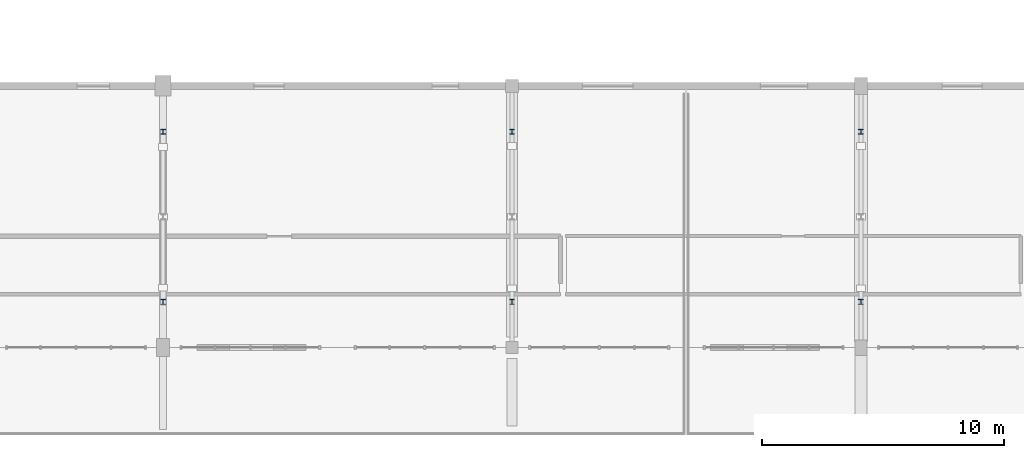
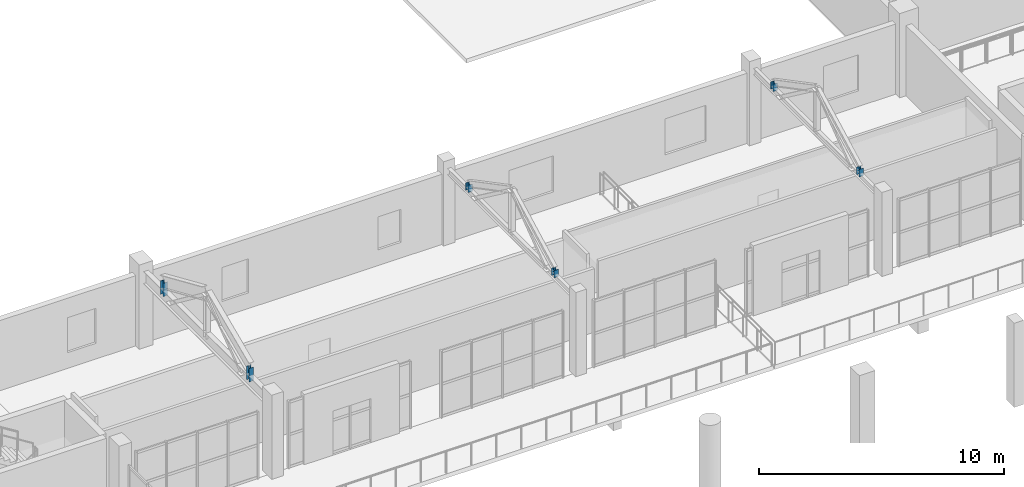
# One storey, part 44 of 92: 6 members.
"""IFC4 building model written with IfcOpenShell, lengths in metres."""

from ifc_helpers import new_model, si_unit, direction, frame, origin, origin_2d, place, context, subcontext, project, spatial, i_section, extrude, material, material_profile, profile_set, type_object, element, save


model = new_model("IFC4")

# Units and contexts
model_context = context("Model", 3, precision=1e-05, world=origin(), true_north=direction((0.0, 1.0)))
body_context = subcontext(model_context, "Body", "Model", "MODEL_VIEW")
ifc_project = project(units=[si_unit("LENGTHUNIT", "METRE"), si_unit("AREAUNIT", "SQUARE_METRE"), si_unit("VOLUMEUNIT", "CUBIC_METRE"), si_unit("PLANEANGLEUNIT", "RADIAN"), si_unit("MASSUNIT", "GRAM", prefix="KILO")], contexts=[model_context])

# Site, building, storey
site_placement = place(None, origin())
site = spatial("IfcSite", under=ifc_project, at=site_placement, CompositionType="ELEMENT")
building_placement = place(site_placement, origin())
building = spatial("IfcBuilding", under=site, at=building_placement, Name="Solanera Park Tramway Depot", CompositionType="ELEMENT")
storey_placement = place(building_placement, frame((0.0, 0.0, 4.800048828125)))
storey = spatial("IfcBuildingStorey", under=building, at=storey_placement, Name="L01", CompositionType="ELEMENT", Elevation=4.800048828125)

# Members
ifc_material = material(Name="Steel AS/NZS 3679.1 Grade 350", Category="steel")
ifc_material_profile = material_profile(ifc_material, i_section(OverallWidth=0.205078125, OverallDepth=0.209716796875, WebThickness=0.00927734375, FlangeThickness=0.01416015625, at=origin_2d()), Name="200UC59.5")
ifc_profile_set = profile_set([ifc_material_profile], Name="Steel AS/NZS 3679.1 Grade 350")
member_type = type_object("IfcMemberType", Name="Roof Gantry Compression Strut 200UC59.5", PredefinedType="STRUT", material=ifc_profile_set)
for number, where, z_axis, x_axis, name in (
    (1, (129.60009765625, 45.090087890625, 3.494140625), (0.0, 0.0, 1.0), (1.0, 0.0, 0.0), "Hip ROOF TRUSS Heel Post #0158"),
    (2, (129.60009765625, 52.110107421875, 3.494140625), (0.0, 0.0, 1.0), (1.0, 0.0, 0.0), "Hip ROOF TRUSS Heel Post #0159"),
):
    element("IfcMember", number, at=place(storey_placement, frame(where, z_axis=z_axis, x_axis=x_axis)), inside=storey, type_object=member_type, Name=name, PredefinedType="STRUT", context=body_context, shape_type="SweptSolid", body=[
        extrude(i_section(OverallWidth=0.205078125, OverallDepth=0.209716796875, WebThickness=0.00927734375, FlangeThickness=0.01416015625, at=origin_2d()), origin(), (0.0, 0.0, 1.0), 0.671630859375),
    ])
for number, where, z_axis, x_axis, name in (
    (3, (144.0, 45.090087890625, 3.64794921875), (0.0, 0.0, 1.0), (1.0, 0.0, 0.0), "Hip ROOF TRUSS Heel Post #0161"),
    (4, (144.0, 52.110107421875, 3.64794921875), (0.0, 0.0, 1.0), (1.0, 0.0, 0.0), "Hip ROOF TRUSS Heel Post #0162"),
):
    element("IfcMember", number, at=place(storey_placement, frame(where, z_axis=z_axis, x_axis=x_axis)), inside=storey, type_object=member_type, Name=name, PredefinedType="STRUT", context=body_context, shape_type="SweptSolid", body=[
        extrude(i_section(OverallWidth=0.205078125, OverallDepth=0.209716796875, WebThickness=0.00927734375, FlangeThickness=0.01416015625, at=origin_2d()), origin(), (0.0, 0.0, 1.0), 0.364013671875),
    ])
for number, where, z_axis, x_axis, name in (
    (5, (158.39990234375, 45.090087890625, 3.646240234375), (0.0, 0.0, 1.0), (1.0, 0.0, 0.0), "Hip ROOF TRUSS Heel Post #0164"),
    (6, (158.39990234375, 52.110107421875, 3.646240234375), (0.0, 0.0, 1.0), (1.0, 0.0, 0.0), "Hip ROOF TRUSS Heel Post #0165"),
):
    element("IfcMember", number, at=place(storey_placement, frame(where, z_axis=z_axis, x_axis=x_axis)), inside=storey, type_object=member_type, Name=name, PredefinedType="STRUT", context=body_context, shape_type="SweptSolid", body=[
        extrude(i_section(OverallWidth=0.205078125, OverallDepth=0.209716796875, WebThickness=0.00927734375, FlangeThickness=0.01416015625, at=origin_2d()), origin(), (0.0, 0.0, 1.0), 0.367431640625),
    ])

save(model, "model.ifc")
